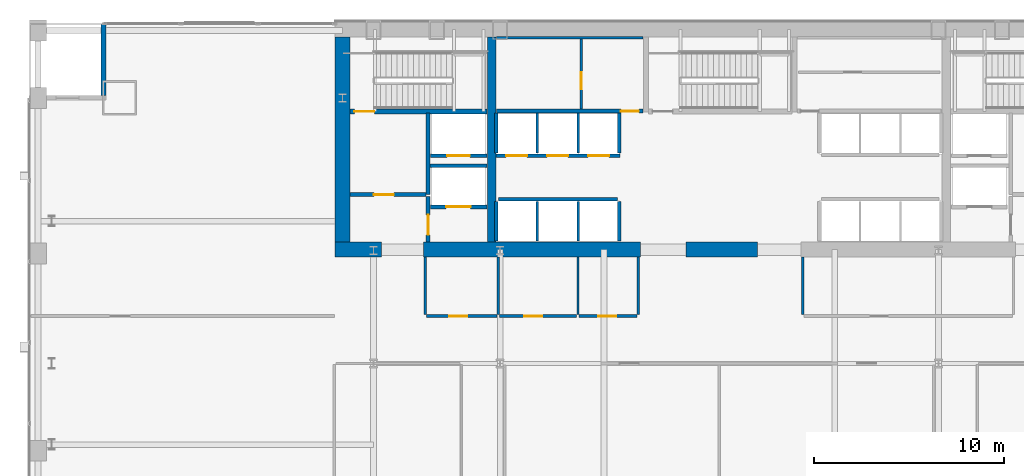
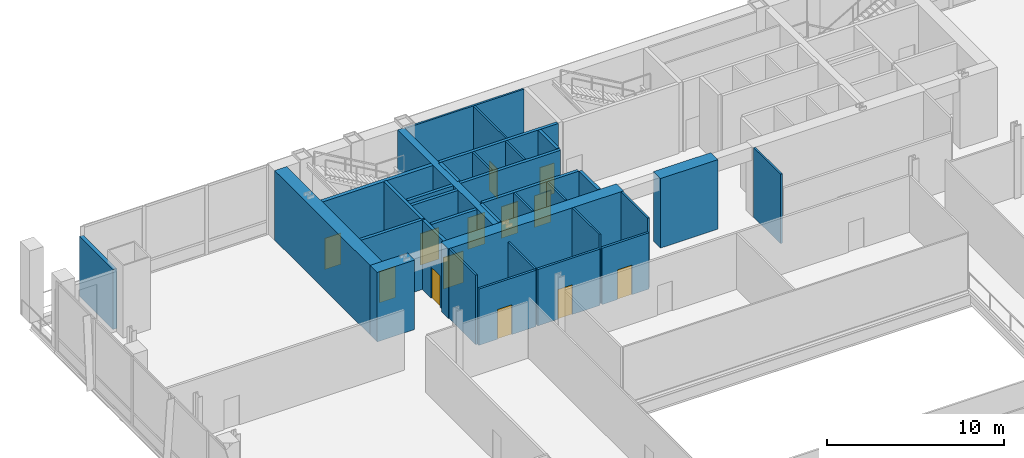
# One storey, part 21 of 26: 34 walls, 13 doors, 13 openings.
"""IFC4 building model written with IfcOpenShell, lengths in metres."""

from ifc_helpers import new_model, si_unit, direction, frame, frame_2d, origin, place, context, subcontext, project, spatial, rectangle, extrude, material, layer, layer_set, type_object, element, fill, save


model = new_model("IFC4")

# Units and contexts
model_context = context("Model", 3, precision=1e-05, world=origin(), true_north=direction((0.0, 1.0)))
body_context = subcontext(model_context, "Body", "Model", "MODEL_VIEW")
ifc_project = project(units=[si_unit("LENGTHUNIT", "METRE"), si_unit("AREAUNIT", "SQUARE_METRE"), si_unit("VOLUMEUNIT", "CUBIC_METRE"), si_unit("PLANEANGLEUNIT", "RADIAN"), si_unit("MASSUNIT", "GRAM", prefix="KILO")], contexts=[model_context])

# Site, building, storey
site_placement = place(None, origin())
site = spatial("IfcSite", under=ifc_project, at=site_placement, CompositionType="ELEMENT")
building_placement = place(site_placement, origin())
building = spatial("IfcBuilding", under=site, at=building_placement, Name="Khoronbel Lancet Exchange", CompositionType="ELEMENT")
storey_placement = place(building_placement, frame((0.0, 0.0, 5.39990234375)))
storey = spatial("IfcBuildingStorey", under=building, at=storey_placement, Name="L01", CompositionType="ELEMENT", Elevation=5.39990234375)

# Walls
ifc_material_1 = material(Name="Concrete C80/95", Category="concrete")
ifc_layer_1 = layer(ifc_material_1, 0.800048828125, Name="Concrete C80/95")
ifc_layer_set_1 = layer_set([ifc_layer_1], Name="Concrete C80/95")
wall_type_1 = type_object("IfcWallType", Name="WL-CW1", PredefinedType="SHEAR", material=ifc_layer_set_1)
wall_1_placement = place(storey_placement, frame((16.60009765625, 42.10009765625, 0.0), z_axis=(0.0, 0.0, 1.0), x_axis=(0.0, 1.0, 0.0)))
element("IfcWall", 1, at=wall_1_placement, inside=storey, type_object=wall_type_1, Name="Level L01 rear core west shear wall", PredefinedType="SHEAR", context=body_context, shape_type="SweptSolid", body=[
    extrude(rectangle(XDim=10.7998046875, YDim=0.800048828125, at=frame_2d((5.39990234375, 0.0))), origin(), (0.0, 0.0, 1.0), 4.800048828125),
])
wall_2_placement = place(storey_placement, frame((18.64990234375, 41.699951171875, 0.0), z_axis=(0.0, 0.0, 1.0), x_axis=(-1.0, 0.0, 0.0)))
element("IfcWall", 2, at=wall_2_placement, inside=storey, type_object=wall_type_1, Name="Level L01 rear core south shear wall pier P1", PredefinedType="SHEAR", context=body_context, shape_type="SweptSolid", body=[
    extrude(rectangle(XDim=2.449951171875, YDim=0.800048828125, at=frame_2d((1.22509765625, 0.0))), origin(), (0.0, 0.0, 1.0), 4.800048828125),
])
wall_3_placement = place(storey_placement, frame((32.300048828125, 41.699951171875, 0.0), z_axis=(0.0, 0.0, 1.0), x_axis=(-1.0, 0.0, 0.0)))
element("IfcWall", 3, at=wall_3_placement, inside=storey, type_object=wall_type_1, Name="Level L01 rear core south shear wall pier P2", PredefinedType="SHEAR", context=body_context, shape_type="SweptSolid", body=[
    extrude(rectangle(XDim=11.449951171875, YDim=0.800048828125, at=frame_2d((5.72509765625, 0.0))), origin(), (0.0, 0.0, 1.0), 4.800048828125),
])
wall_4_placement = place(storey_placement, frame((38.449951171875, 41.699951171875, 0.0), z_axis=(0.0, 0.0, 1.0), x_axis=(-1.0, 0.0, 0.0)))
element("IfcWall", 4, at=wall_4_placement, inside=storey, type_object=wall_type_1, Name="Level L01 rear core south shear wall pier P3", PredefinedType="SHEAR", context=body_context, shape_type="SweptSolid", body=[
    extrude(rectangle(XDim=3.75, YDim=0.800048828125, at=frame_2d((1.875, 0.0))), origin(), (0.0, 0.0, 1.0), 4.800048828125),
])
ifc_material_2 = material(Name="Precast concrete C40/50", Category="concrete")
ifc_layer_2 = layer(ifc_material_2, 0.25, Name="Precast concrete C40/50")
ifc_layer_set_2 = layer_set([ifc_layer_2], Name="Precast concrete C40/50")
wall_type_2 = type_object("IfcWallType", Name="WL-EXT250", PredefinedType="SOLIDWALL", material=ifc_layer_set_2)
wall_5_placement = place(storey_placement, frame((4.0, 49.824951171875, 0.0), z_axis=(0.0, 0.0, 1.0), x_axis=(0.0, 1.0, 0.0)))
element("IfcWall", 5, at=wall_5_placement, inside=storey, type_object=wall_type_2, Name="Level L01 corner notch exterior wall NWV1", PredefinedType="SOLIDWALL", context=body_context, shape_type="SweptSolid", body=[
    extrude(rectangle(XDim=3.795166015625, YDim=0.25, at=frame_2d((1.8974609375, 0.0))), origin(), (0.0, 0.0, 1.0), 4.14013671875),
])
ifc_material_3 = material(Name="Acoustic Metal-Stud & Mineral-Wool Gypsum Partition 120 mm", Category="gypsum")
ifc_layer_3 = layer(ifc_material_3, 0.1201171875, Name="Acoustic Metal-Stud & Mineral-Wool Gypsum Partition 120 mm")
ifc_layer_set_3 = layer_set([ifc_layer_3], Name="Acoustic Metal-Stud & Mineral-Wool Gypsum Partition 120 mm")
wall_type_3 = type_object("IfcWallType", Name="WL-PRT120", PredefinedType="PARTITIONING", material=ifc_layer_set_3)
wall_6_placement = place(storey_placement, frame((20.949951171875, 38.280029296875, 0.0), z_axis=(0.0, 0.0, 1.0), x_axis=(0.0, 1.0, 0.0)))
element("IfcWall", 6, at=wall_6_placement, inside=storey, type_object=wall_type_3, Name="Level L01 interior partition PW-PD-WC0", PredefinedType="PARTITIONING", context=body_context, shape_type="SweptSolid", body=[
    extrude(rectangle(XDim=3.02001953125, YDim=0.1201171875, at=frame_2d((1.510009765625, 0.0))), origin(), (0.0, 0.0, 1.0), 4.800048828125),
])
wall_7_placement = place(storey_placement, frame((24.800048828125, 38.280029296875, 0.0), z_axis=(0.0, 0.0, 1.0), x_axis=(0.0, 1.0, 0.0)))
element("IfcWall", 7, at=wall_7_placement, inside=storey, type_object=wall_type_3, Name="Level L01 interior partition PW-PD-WC1", PredefinedType="PARTITIONING", context=body_context, shape_type="SweptSolid", body=[
    extrude(rectangle(XDim=3.02001953125, YDim=0.1201171875, at=frame_2d((1.510009765625, 0.0))), origin(), (0.0, 0.0, 1.0), 3.89013671875),
])
for number, where, z_axis, x_axis, name in (
    (8, (29.0, 38.280029296875, 0.0), (0.0, 0.0, 1.0), (0.0, 1.0, 0.0), "Level L01 interior partition PW-PD-WC2"),
    (9, (32.179931640625, 38.280029296875, 0.0), (0.0, 0.0, 1.0), (0.0, 1.0, 0.0), "Level L01 interior partition PW-PD-WC3"),
    (10, (40.85009765625, 38.280029296875, 0.0), (0.0, 0.0, 1.0), (0.0, 1.0, 0.0), "Level L01 interior partition PW-PD-NP0"),
):
    element("IfcWall", number, at=place(storey_placement, frame(where, z_axis=z_axis, x_axis=x_axis)), inside=storey, type_object=wall_type_3, Name=name, PredefinedType="PARTITIONING", context=body_context, shape_type="SweptSolid", body=[
        extrude(rectangle(XDim=3.02001953125, YDim=0.1201171875, at=frame_2d((1.510009765625, 0.0))), origin(), (0.0, 0.0, 1.0), 4.800048828125),
    ])
ifc_material_4 = material(Name="Fire-Rated Metal-Stud & Mineral-Wool Gypsum Partition 120 mm", Category="gypsum")
ifc_layer_4 = layer(ifc_material_4, 0.1201171875, Name="Fire-Rated Metal-Stud & Mineral-Wool Gypsum Partition 120 mm")
ifc_layer_set_4 = layer_set([ifc_layer_4], Name="Fire-Rated Metal-Stud & Mineral-Wool Gypsum Partition 120 mm")
wall_type_4 = type_object("IfcWallType", Name="WL-PRT120F", PredefinedType="PARTITIONING", material=ifc_layer_set_4)
for number, where, z_axis, x_axis, name in (
    (11, (26.860107421875, 46.800048828125, 0.0), (0.0, 0.0, 1.0), (0.0, 1.0, 0.0), "Level L01 interior partition CW-PL-D1"),
    (12, (29.02001953125, 46.800048828125, 0.0), (0.0, 0.0, 1.0), (0.0, 1.0, 0.0), "Level L01 interior partition CW-PL-D2"),
):
    element("IfcWall", number, at=place(storey_placement, frame(where, z_axis=z_axis, x_axis=x_axis)), inside=storey, type_object=wall_type_4, Name=name, PredefinedType="PARTITIONING", context=body_context, shape_type="SweptSolid", body=[
        extrude(rectangle(XDim=2.094970703125, YDim=0.1201171875, at=frame_2d((1.04736328125, 0.0))), origin(), (0.0, 0.0, 1.0), 4.800048828125),
    ])
for number, where, z_axis, x_axis, name in (
    (13, (26.860107421875, 42.14990234375, 0.0), (0.0, 0.0, 1.0), (0.0, 1.0, 0.0), "Level L01 interior partition CW-PM-D1"),
    (14, (29.02001953125, 42.14990234375, 0.0), (0.0, 0.0, 1.0), (0.0, 1.0, 0.0), "Level L01 interior partition CW-PM-D2"),
):
    element("IfcWall", number, at=place(storey_placement, frame(where, z_axis=z_axis, x_axis=x_axis)), inside=storey, type_object=wall_type_4, Name=name, PredefinedType="PARTITIONING", context=body_context, shape_type="SweptSolid", body=[
        extrude(rectangle(XDim=2.09521484375, YDim=0.1201171875, at=frame_2d((1.047607421875, 0.0))), origin(), (0.0, 0.0, 1.0), 4.800048828125),
    ])
wall_8_placement = place(storey_placement, frame((24.699951171875, 52.860107421875, 0.0), z_axis=(0.0, 0.0, 1.0), x_axis=(1.0, 0.0, 0.0)))
element("IfcWall", 15, at=wall_8_placement, inside=storey, type_object=wall_type_4, Name="Level L01 interior partition CW-SUP-NW-N", PredefinedType="PARTITIONING", context=body_context, shape_type="SweptSolid", body=[
    extrude(rectangle(XDim=7.719970703125, YDim=0.1201171875, at=frame_2d((3.85986328125, 0.0))), origin(), (0.0, 0.0, 1.0), 4.800048828125),
])

# Wall, opening, door
wall_9_placement = place(storey_placement, frame((29.177490234375, 49.10498046875, 0.0), z_axis=(0.0, 0.0, 1.0), x_axis=(0.0, 1.0, 0.0)))
wall_9 = element("IfcWall", 16, at=wall_9_placement, inside=storey, type_object=wall_type_4, Name="Level L01 interior partition CW-SUP-NW-M", PredefinedType="PARTITIONING", context=body_context, shape_type="SweptSolid", body=[
    extrude(rectangle(XDim=3.68994140625, YDim=0.1201171875, at=frame_2d((1.844970703125, 0.0))), origin(), (0.0, 0.0, 1.0), 4.800048828125),
])
opening_1_placement = place(wall_9_placement, frame((1.050048828125, 0.0, 0.0)))
opening_1 = element("IfcOpeningElement", 17, at=opening_1_placement, cuts=wall_9, Name="Opening FD4", PredefinedType="OPENING", context=body_context, shape_type="SweptSolid", body=[
    extrude(rectangle(XDim=0.89990234375, YDim=2.050048828125, at=frame_2d((0.449951171875, 1.02490234375))), frame((0.0, 0.070068359375, 0.0), z_axis=(0.0, -1.0, 0.0), x_axis=(1.0, 0.0, 0.0)), (0.0, 0.0, 1.0), 0.14013671875),
])
ifc_material_5 = material(Name="Fire-Rated Steel Core Support Door Assembly", Category="steel")
door_type_1 = type_object("IfcDoorType", Name="DR-FD4", OperationType="NOTDEFINED", PredefinedType="DOOR", material=ifc_material_5)
door_1_placement = place(opening_1_placement, origin())
door_1 = element("IfcDoor", 18, at=door_1_placement, inside=storey, type_object=door_type_1, Name="Core NW inner support door L01-1", OperationType="SINGLE_SWING_RIGHT", OverallHeight=2.050048828125, OverallWidth=0.89990234375, PredefinedType="DOOR", context=body_context, shape_type="SweptSolid", body=[
    extrude(rectangle(XDim=0.89990234375, YDim=2.050048828125, at=frame_2d((0.449951171875, 1.02490234375))), frame((0.0, 0.02490234375, 0.0), z_axis=(0.0, -1.0, 0.0), x_axis=(1.0, 0.0, 0.0)), (0.0, 0.0, 1.0), 0.050048828125),
])
fill(opening_1, door_1)

ifc_material_6 = material(Name="Fire-Rated Twin-Stud Acoustic Gypsum Partition 150 mm", Category="gypsum")
ifc_layer_5 = layer(ifc_material_6, 0.14990234375, Name="Fire-Rated Twin-Stud Acoustic Gypsum Partition 150 mm")
ifc_layer_set_5 = layer_set([ifc_layer_5], Name="Fire-Rated Twin-Stud Acoustic Gypsum Partition 150 mm")
wall_type_5 = type_object("IfcWallType", Name="WL-PRT150C", PredefinedType="PARTITIONING", material=ifc_layer_set_5)
wall_10_placement = place(storey_placement, frame((21.014892578125, 38.199951171875, 0.0), z_axis=(0.0, 0.0, 1.0), x_axis=(1.0, 0.0, 0.0)))
wall_10 = element("IfcWall", 19, at=wall_10_placement, inside=storey, type_object=wall_type_5, Name="Level L01 interior partition PW-PD-WCS1", PredefinedType="PARTITIONING", context=body_context, shape_type="SweptSolid", body=[
    extrude(rectangle(XDim=3.72021484375, YDim=0.14990234375, at=frame_2d((1.860107421875, 0.0))), origin(), (0.0, 0.0, 1.0), 3.89013671875),
])
opening_2_placement = place(wall_10_placement, frame((1.199951171875, 0.0, 0.0)))
opening_2 = element("IfcOpeningElement", 20, at=opening_2_placement, cuts=wall_10, Name="Opening D4", PredefinedType="OPENING", context=body_context, shape_type="SweptSolid", body=[
    extrude(rectangle(XDim=0.949951171875, YDim=2.050048828125, at=frame_2d((0.47509765625, 1.02490234375))), frame((0.0, 0.0849609375, 0.0), z_axis=(0.0, -1.0, 0.0), x_axis=(1.0, 0.0, 0.0)), (0.0, 0.0, 1.0), 0.169921875),
])
ifc_material_7 = material(Name="Moisture-Resistant HPL Washroom Door", Category="wood")
door_type_2 = type_object("IfcDoorType", Name="DR-D4", OperationType="NOTDEFINED", PredefinedType="DOOR", material=ifc_material_7)
door_2_placement = place(opening_2_placement, origin())
door_2 = element("IfcDoor", 21, at=door_2_placement, inside=storey, type_object=door_type_2, Name="Podium male WC door L01-1", OperationType="SINGLE_SWING_LEFT", OverallHeight=2.050048828125, OverallWidth=0.949951171875, PredefinedType="DOOR", context=body_context, shape_type="SweptSolid", body=[
    extrude(rectangle(XDim=0.949951171875, YDim=2.050048828125, at=frame_2d((0.47509765625, 1.02490234375))), frame((0.0, 0.02490234375, 0.0), z_axis=(0.0, -1.0, 0.0), x_axis=(1.0, 0.0, 0.0)), (0.0, 0.0, 1.0), 0.050048828125),
])
fill(opening_2, door_2)

wall_11_placement = place(storey_placement, frame((24.864990234375, 38.199951171875, 0.0), z_axis=(0.0, 0.0, 1.0), x_axis=(1.0, 0.0, 0.0)))
wall_11 = element("IfcWall", 22, at=wall_11_placement, inside=storey, type_object=wall_type_5, Name="Level L01 interior partition PW-PD-WCS2", PredefinedType="PARTITIONING", context=body_context, shape_type="SweptSolid", body=[
    extrude(rectangle(XDim=4.070068359375, YDim=0.14990234375, at=frame_2d((2.03515625, 0.0))), origin(), (0.0, 0.0, 1.0), 3.89013671875),
])
opening_3_placement = place(wall_11_placement, frame((1.300048828125, 0.0, 0.0)))
opening_3 = element("IfcOpeningElement", 23, at=opening_3_placement, cuts=wall_11, Name="Opening D4", PredefinedType="OPENING", context=body_context, shape_type="SweptSolid", body=[
    extrude(rectangle(XDim=0.949951171875, YDim=2.050048828125, at=frame_2d((0.47509765625, 1.02490234375))), frame((0.0, 0.0849609375, 0.0), z_axis=(0.0, -1.0, 0.0), x_axis=(1.0, 0.0, 0.0)), (0.0, 0.0, 1.0), 0.169921875),
])
door_3_placement = place(opening_3_placement, origin())
door_3 = element("IfcDoor", 24, at=door_3_placement, inside=storey, type_object=door_type_2, Name="Podium female WC door L01-1", OperationType="SINGLE_SWING_RIGHT", OverallHeight=2.050048828125, OverallWidth=0.949951171875, PredefinedType="DOOR", context=body_context, shape_type="SweptSolid", body=[
    extrude(rectangle(XDim=0.949951171875, YDim=2.050048828125, at=frame_2d((0.47509765625, 1.02490234375))), frame((0.0, 0.02490234375, 0.0), z_axis=(0.0, -1.0, 0.0), x_axis=(1.0, 0.0, 0.0)), (0.0, 0.0, 1.0), 0.050048828125),
])
fill(opening_3, door_3)

wall_12_placement = place(storey_placement, frame((29.06494140625, 38.199951171875, 0.0), z_axis=(0.0, 0.0, 1.0), x_axis=(1.0, 0.0, 0.0)))
wall_12 = element("IfcWall", 25, at=wall_12_placement, inside=storey, type_object=wall_type_5, Name="Level L01 interior partition PW-PD-WCS3", PredefinedType="PARTITIONING", context=body_context, shape_type="SweptSolid", body=[
    extrude(rectangle(XDim=3.050048828125, YDim=0.14990234375, at=frame_2d((1.52490234375, 0.0))), origin(), (0.0, 0.0, 1.0), 3.89013671875),
])
opening_4_placement = place(wall_12_placement, frame((1.0, 0.0, 0.0)))
opening_4 = element("IfcOpeningElement", 26, at=opening_4_placement, cuts=wall_12, Name="Opening D4", PredefinedType="OPENING", context=body_context, shape_type="SweptSolid", body=[
    extrude(rectangle(XDim=0.949951171875, YDim=2.050048828125, at=frame_2d((0.47509765625, 1.02490234375))), frame((0.0, 0.0849609375, 0.0), z_axis=(0.0, -1.0, 0.0), x_axis=(1.0, 0.0, 0.0)), (0.0, 0.0, 1.0), 0.169921875),
])
door_4_placement = place(opening_4_placement, origin())
door_4 = element("IfcDoor", 27, at=door_4_placement, inside=storey, type_object=door_type_2, Name="Podium accessible WC door L01-1", OperationType="SINGLE_SWING_LEFT", OverallHeight=2.050048828125, OverallWidth=0.949951171875, PredefinedType="DOOR", context=body_context, shape_type="SweptSolid", body=[
    extrude(rectangle(XDim=0.949951171875, YDim=2.050048828125, at=frame_2d((0.47509765625, 1.02490234375))), frame((0.0, 0.02490234375, 0.0), z_axis=(0.0, -1.0, 0.0), x_axis=(1.0, 0.0, 0.0)), (0.0, 0.0, 1.0), 0.050048828125),
])
fill(opening_4, door_4)

ifc_material_8 = material(Name="Autoclaved Aerated Concrete Blockwork 200 mm", Category="masonry")
ifc_layer_6 = layer(ifc_material_8, 0.199951171875, Name="Autoclaved Aerated Concrete Blockwork 200 mm")
ifc_layer_set_6 = layer_set([ifc_layer_6], Name="Autoclaved Aerated Concrete Blockwork 200 mm")
wall_type_6 = type_object("IfcWallType", Name="WL-PRT200", PredefinedType="PARTITIONING", material=ifc_layer_set_6)
wall_13_placement = place(storey_placement, frame((24.2099609375, 43.949951171875, 0.0), z_axis=(0.0, 0.0, 1.0), x_axis=(-1.0, 0.0, 0.0)))
wall_13 = element("IfcWall", 28, at=wall_13_placement, inside=storey, type_object=wall_type_6, Name="Level L01 elevator hoistway landing front wall SVLW", PredefinedType="PARTITIONING", context=body_context, shape_type="SweptSolid", body=[
    extrude(rectangle(XDim=2.969970703125, YDim=0.199951171875, at=frame_2d((1.48486328125, 0.0))), origin(), (0.0, 0.0, 1.0), 4.800048828125),
])
opening_5_placement = place(wall_13_placement, frame((0.860107421875, 0.0, 0.0)))
opening_5 = element("IfcOpeningElement", 29, at=opening_5_placement, cuts=wall_13, Name="Opening LD-SVL1", PredefinedType="OPENING", context=body_context, shape_type="SweptSolid", body=[
    extrude(rectangle(XDim=1.300048828125, YDim=2.179931640625, at=frame_2d((0.64990234375, 1.08984375))), frame((0.0, 0.10986328125, 0.0), z_axis=(0.0, -1.0, 0.0), x_axis=(1.0, 0.0, 0.0)), (0.0, 0.0, 1.0), 0.219970703125),
])
ifc_material_9 = material(Name="Heavy-Duty Bi-Parting Goods Lift Landing Door", Category="steel")
door_type_3 = type_object("IfcDoorType", Name="DR-LD-SVL", OperationType="NOTDEFINED", PredefinedType="DOOR", material=ifc_material_9)
door_5_placement = place(opening_5_placement, origin())
door_5 = element("IfcDoor", 30, at=door_5_placement, inside=storey, type_object=door_type_3, Name="Elevator landing sliding door LD-SVL1 L01", OperationType="SLIDING_TO_LEFT", OverallHeight=2.179931640625, OverallWidth=1.300048828125, PredefinedType="DOOR", context=body_context, shape_type="SweptSolid", body=[
    extrude(rectangle(XDim=1.300048828125, YDim=2.179931640625, at=frame_2d((0.64990234375, 1.08984375))), frame((0.0, 0.02490234375, 0.0), z_axis=(0.0, -1.0, 0.0), x_axis=(1.0, 0.0, 0.0)), (0.0, 0.0, 1.0), 0.050048828125),
])
fill(opening_5, door_5)

wall_14_placement = place(storey_placement, frame((24.2099609375, 46.64990234375, 0.0), z_axis=(0.0, 0.0, 1.0), x_axis=(-1.0, 0.0, 0.0)))
wall_14 = element("IfcWall", 31, at=wall_14_placement, inside=storey, type_object=wall_type_6, Name="Level L01 elevator hoistway landing front wall FFLW", PredefinedType="PARTITIONING", context=body_context, shape_type="SweptSolid", body=[
    extrude(rectangle(XDim=2.969970703125, YDim=0.199951171875, at=frame_2d((1.48486328125, 0.0))), origin(), (0.0, 0.0, 1.0), 4.800048828125),
])
opening_6_placement = place(wall_14_placement, frame((0.909912109375, 0.0, 0.0)))
opening_6 = element("IfcOpeningElement", 32, at=opening_6_placement, cuts=wall_14, Name="Opening LD-FFL1", PredefinedType="OPENING", context=body_context, shape_type="SweptSolid", body=[
    extrude(rectangle(XDim=1.199951171875, YDim=2.179931640625, at=frame_2d((0.60009765625, 1.08984375))), frame((0.0, 0.10986328125, 0.0), z_axis=(0.0, -1.0, 0.0), x_axis=(1.0, 0.0, 0.0)), (0.0, 0.0, 1.0), 0.219970703125),
])
ifc_material_10 = material(Name="Fire-Rated Stainless Bi-Parting Firefighting Lift Door", Category="steel")
door_type_4 = type_object("IfcDoorType", Name="DR-LD-FFL", OperationType="NOTDEFINED", PredefinedType="DOOR", material=ifc_material_10)
door_6_placement = place(opening_6_placement, origin())
door_6 = element("IfcDoor", 33, at=door_6_placement, inside=storey, type_object=door_type_4, Name="Elevator landing sliding door LD-FFL1 L01", OperationType="SLIDING_TO_LEFT", OverallHeight=2.179931640625, OverallWidth=1.199951171875, PredefinedType="DOOR", context=body_context, shape_type="SweptSolid", body=[
    extrude(rectangle(XDim=1.199951171875, YDim=2.179931640625, at=frame_2d((0.60009765625, 1.08984375))), frame((0.0, 0.02490234375, 0.0), z_axis=(0.0, -1.0, 0.0), x_axis=(1.0, 0.0, 0.0)), (0.0, 0.0, 1.0), 0.050048828125),
])
fill(opening_6, door_6)

# Wall, openings, doors
wall_15_placement = place(storey_placement, frame((31.219970703125, 46.64990234375, 0.0), z_axis=(0.0, 0.0, 1.0), x_axis=(-1.0, 0.0, 0.0)))
wall_15 = element("IfcWall", 34, at=wall_15_placement, inside=storey, type_object=wall_type_6, Name="Level L01 elevator hoistway landing front wall PLW", PredefinedType="PARTITIONING", context=body_context, shape_type="SweptSolid", body=[
    extrude(rectangle(XDim=6.530029296875, YDim=0.199951171875, at=frame_2d((3.26513671875, 0.0))), origin(), (0.0, 0.0, 1.0), 4.800048828125),
])
opening_7_placement = place(wall_15_placement, frame((4.89990234375, 0.0, 0.0)))
opening_7 = element("IfcOpeningElement", 35, at=opening_7_placement, cuts=wall_15, Name="Opening LD-PL1", PredefinedType="OPENING", context=body_context, shape_type="SweptSolid", body=[
    extrude(rectangle(XDim=1.10009765625, YDim=2.179931640625, at=frame_2d((0.550048828125, 1.08984375))), frame((0.0, 0.10986328125, 0.0), z_axis=(0.0, -1.0, 0.0), x_axis=(1.0, 0.0, 0.0)), (0.0, 0.0, 1.0), 0.219970703125),
])
opening_8_placement = place(wall_15_placement, frame((2.739990234375, 0.0, 0.0)))
opening_8 = element("IfcOpeningElement", 36, at=opening_8_placement, cuts=wall_15, Name="Opening LD-PL2", PredefinedType="OPENING", context=body_context, shape_type="SweptSolid", body=[
    extrude(rectangle(XDim=1.10009765625, YDim=2.179931640625, at=frame_2d((0.550048828125, 1.08984375))), frame((0.0, 0.10986328125, 0.0), z_axis=(0.0, -1.0, 0.0), x_axis=(1.0, 0.0, 0.0)), (0.0, 0.0, 1.0), 0.219970703125),
])
opening_9_placement = place(wall_15_placement, frame((0.580078125, 0.0, 0.0)))
opening_9 = element("IfcOpeningElement", 37, at=opening_9_placement, cuts=wall_15, Name="Opening LD-PL3", PredefinedType="OPENING", context=body_context, shape_type="SweptSolid", body=[
    extrude(rectangle(XDim=1.10009765625, YDim=2.179931640625, at=frame_2d((0.550048828125, 1.08984375))), frame((0.0, 0.10986328125, 0.0), z_axis=(0.0, -1.0, 0.0), x_axis=(1.0, 0.0, 0.0)), (0.0, 0.0, 1.0), 0.219970703125),
])
ifc_material_11 = material(Name="Brushed Bronze Bi-Parting Elevator Landing Door", Category="steel")
door_type_5 = type_object("IfcDoorType", Name="DR-LD-PAX", OperationType="NOTDEFINED", PredefinedType="DOOR", material=ifc_material_11)
door_7_placement = place(opening_7_placement, origin())
door_7 = element("IfcDoor", 38, at=door_7_placement, inside=storey, type_object=door_type_5, Name="Elevator landing sliding door LD-PL1 L01", OperationType="SLIDING_TO_LEFT", OverallHeight=2.179931640625, OverallWidth=1.10009765625, PredefinedType="DOOR", context=body_context, shape_type="SweptSolid", body=[
    extrude(rectangle(XDim=1.10009765625, YDim=2.179931640625, at=frame_2d((0.550048828125, 1.08984375))), frame((0.0, 0.02490234375, 0.0), z_axis=(0.0, -1.0, 0.0), x_axis=(1.0, 0.0, 0.0)), (0.0, 0.0, 1.0), 0.050048828125),
])
fill(opening_7, door_7)
door_8_placement = place(opening_8_placement, origin())
door_8 = element("IfcDoor", 39, at=door_8_placement, inside=storey, type_object=door_type_5, Name="Elevator landing sliding door LD-PL2 L01", OperationType="SLIDING_TO_LEFT", OverallHeight=2.179931640625, OverallWidth=1.10009765625, PredefinedType="DOOR", context=body_context, shape_type="SweptSolid", body=[
    extrude(rectangle(XDim=1.10009765625, YDim=2.179931640625, at=frame_2d((0.550048828125, 1.08984375))), frame((0.0, 0.02490234375, 0.0), z_axis=(0.0, -1.0, 0.0), x_axis=(1.0, 0.0, 0.0)), (0.0, 0.0, 1.0), 0.050048828125),
])
fill(opening_8, door_8)
door_9_placement = place(opening_9_placement, origin())
door_9 = element("IfcDoor", 40, at=door_9_placement, inside=storey, type_object=door_type_5, Name="Elevator landing sliding door LD-PL3 L01", OperationType="SLIDING_TO_LEFT", OverallHeight=2.179931640625, OverallWidth=1.10009765625, PredefinedType="DOOR", context=body_context, shape_type="SweptSolid", body=[
    extrude(rectangle(XDim=1.10009765625, YDim=2.179931640625, at=frame_2d((0.550048828125, 1.08984375))), frame((0.0, 0.02490234375, 0.0), z_axis=(0.0, -1.0, 0.0), x_axis=(1.0, 0.0, 0.0)), (0.0, 0.0, 1.0), 0.050048828125),
])
fill(opening_9, door_9)

# Wall
wall_16_placement = place(storey_placement, frame((21.10009765625, 44.60009765625, 0.0), z_axis=(0.0, 0.0, 1.0), x_axis=(0.0, 1.0, 0.0)))
element("IfcWall", 41, at=wall_16_placement, inside=storey, type_object=wall_type_6, Name="Level L01 interior partition CW-FFLW-E", PredefinedType="PARTITIONING", context=body_context, shape_type="SweptSolid", body=[
    extrude(rectangle(XDim=4.2998046875, YDim=0.199951171875, at=frame_2d((2.14990234375, 0.0))), origin(), (0.0, 0.0, 1.0), 4.800048828125),
])

# Wall, opening, door
wall_17_placement = place(storey_placement, frame((17.0, 44.60009765625, 0.0), z_axis=(0.0, 0.0, 1.0), x_axis=(1.0, 0.0, 0.0)))
wall_17 = element("IfcWall", 42, at=wall_17_placement, inside=storey, type_object=wall_type_6, Name="Level L01 interior partition CW-FFLW-S", PredefinedType="PARTITIONING", context=body_context, shape_type="SweptSolid", body=[
    extrude(rectangle(XDim=4.0, YDim=0.199951171875, at=frame_2d((2.0, 0.0))), origin(), (0.0, 0.0, 1.0), 4.800048828125),
])
opening_10_placement = place(wall_17_placement, frame((1.25, 0.0, 0.0)))
opening_10 = element("IfcOpeningElement", 43, at=opening_10_placement, cuts=wall_17, Name="Opening FD1", PredefinedType="OPENING", context=body_context, shape_type="SweptSolid", body=[
    extrude(rectangle(XDim=1.050048828125, YDim=2.14990234375, at=frame_2d((0.52490234375, 1.074951171875))), frame((0.0, 0.10986328125, 0.0), z_axis=(0.0, -1.0, 0.0), x_axis=(1.0, 0.0, 0.0)), (0.0, 0.0, 1.0), 0.219970703125),
])
ifc_material_12 = material(Name="Fire-Rated Painted Steel Door Assembly", Category="steel")
door_type_6 = type_object("IfcDoorType", Name="DR-FD1", OperationType="NOTDEFINED", PredefinedType="DOOR", material=ifc_material_12)
door_10_placement = place(opening_10_placement, origin())
door_10 = element("IfcDoor", 44, at=door_10_placement, inside=storey, type_object=door_type_6, Name="West firefighting lobby FD90S door L01-1", OperationType="SINGLE_SWING_LEFT", OverallHeight=2.14990234375, OverallWidth=1.050048828125, PredefinedType="DOOR", context=body_context, shape_type="SweptSolid", body=[
    extrude(rectangle(XDim=1.050048828125, YDim=2.14990234375, at=frame_2d((0.52490234375, 1.074951171875))), frame((0.0, 0.02490234375, 0.0), z_axis=(0.0, -1.0, 0.0), x_axis=(1.0, 0.0, 0.0)), (0.0, 0.0, 1.0), 0.050048828125),
])
fill(opening_10, door_10)

# Wall
wall_18_placement = place(storey_placement, frame((21.199951171875, 46.1201171875, 0.0), z_axis=(0.0, 0.0, 1.0), x_axis=(1.0, 0.0, 0.0)))
element("IfcWall", 45, at=wall_18_placement, inside=storey, type_object=wall_type_6, Name="Level L01 interior partition CW-FFL1-S", PredefinedType="PARTITIONING", context=body_context, shape_type="SweptSolid", body=[
    extrude(rectangle(XDim=3.02001953125, YDim=0.199951171875, at=frame_2d((1.510009765625, 0.0))), origin(), (0.0, 0.0, 1.0), 4.800048828125),
])

# Wall, opening, door
wall_19_placement = place(storey_placement, frame((21.10009765625, 42.10009765625, 0.0), z_axis=(0.0, 0.0, 1.0), x_axis=(0.0, 1.0, 0.0)))
wall_19 = element("IfcWall", 46, at=wall_19_placement, inside=storey, type_object=wall_type_6, Name="Level L01 interior partition CW-SVLW-W", PredefinedType="PARTITIONING", context=body_context, shape_type="SweptSolid", body=[
    extrude(rectangle(XDim=2.39501953125, YDim=0.199951171875, at=frame_2d((1.197509765625, 0.0))), origin(), (0.0, 0.0, 1.0), 4.800048828125),
])
opening_11_placement = place(wall_19_placement, frame((0.3798828125, 0.0, 0.0)))
opening_11 = element("IfcOpeningElement", 47, at=opening_11_placement, cuts=wall_19, Name="Opening FD1", PredefinedType="OPENING", context=body_context, shape_type="SweptSolid", body=[
    extrude(rectangle(XDim=1.050048828125, YDim=2.14990234375, at=frame_2d((0.52490234375, 1.074951171875))), frame((0.0, 0.10986328125, 0.0), z_axis=(0.0, -1.0, 0.0), x_axis=(1.0, 0.0, 0.0)), (0.0, 0.0, 1.0), 0.219970703125),
])
door_11_placement = place(opening_11_placement, origin())
door_11 = element("IfcDoor", 48, at=door_11_placement, inside=storey, type_object=door_type_6, Name="West service lift lobby door L01-1", OperationType="SINGLE_SWING_RIGHT", OverallHeight=2.14990234375, OverallWidth=1.050048828125, PredefinedType="DOOR", context=body_context, shape_type="SweptSolid", body=[
    extrude(rectangle(XDim=1.050048828125, YDim=2.14990234375, at=frame_2d((0.52490234375, 1.074951171875))), frame((0.0, 0.02490234375, 0.0), z_axis=(0.0, -1.0, 0.0), x_axis=(1.0, 0.0, 0.0)), (0.0, 0.0, 1.0), 0.050048828125),
])
fill(opening_11, door_11)

# Walls
for number, where, z_axis, x_axis, name in (
    (49, (24.699951171875, 46.800048828125, 0.0), (0.0, 0.0, 1.0), (0.0, 1.0, 0.0), "Level L01 interior partition CW-PL-W"),
    (50, (31.179931640625, 46.800048828125, 0.0), (0.0, 0.0, 1.0), (0.0, 1.0, 0.0), "Level L01 interior partition CW-PL-E"),
):
    element("IfcWall", number, at=place(storey_placement, frame(where, z_axis=z_axis, x_axis=x_axis)), inside=storey, type_object=wall_type_6, Name=name, PredefinedType="PARTITIONING", context=body_context, shape_type="SweptSolid", body=[
        extrude(rectangle(XDim=2.094970703125, YDim=0.199951171875, at=frame_2d((1.04736328125, 0.0))), origin(), (0.0, 0.0, 1.0), 4.800048828125),
    ])
wall_20_placement = place(storey_placement, frame((24.804931640625, 44.35009765625, 0.0), z_axis=(0.0, 0.0, 1.0), x_axis=(1.0, 0.0, 0.0)))
element("IfcWall", 51, at=wall_20_placement, inside=storey, type_object=wall_type_6, Name="Level L01 interior partition CW-PM-EXP", PredefinedType="PARTITIONING", context=body_context, shape_type="SweptSolid", body=[
    extrude(rectangle(XDim=6.27001953125, YDim=0.199951171875, at=frame_2d((3.135009765625, 0.0))), origin(), (0.0, 0.0, 1.0), 4.800048828125),
])
for number, where, z_axis, x_axis, name in (
    (52, (24.699951171875, 42.14990234375, 0.0), (0.0, 0.0, 1.0), (0.0, 1.0, 0.0), "Level L01 interior partition CW-PM-W"),
    (53, (31.179931640625, 42.14990234375, 0.0), (0.0, 0.0, 1.0), (0.0, 1.0, 0.0), "Level L01 interior partition CW-PM-E"),
):
    element("IfcWall", number, at=place(storey_placement, frame(where, z_axis=z_axis, x_axis=x_axis)), inside=storey, type_object=wall_type_6, Name=name, PredefinedType="PARTITIONING", context=body_context, shape_type="SweptSolid", body=[
        extrude(rectangle(XDim=2.09521484375, YDim=0.199951171875, at=frame_2d((1.047607421875, 0.0))), origin(), (0.0, 0.0, 1.0), 4.800048828125),
    ])

# Wall, opening, door
wall_21_placement = place(storey_placement, frame((24.699951171875, 49.0, 0.0), z_axis=(0.0, 0.0, 1.0), x_axis=(1.0, 0.0, 0.0)))
wall_21 = element("IfcWall", 54, at=wall_21_placement, inside=storey, type_object=wall_type_6, Name="Level L01 interior partition CW-SUP-NW-S", PredefinedType="PARTITIONING", context=body_context, shape_type="SweptSolid", body=[
    extrude(rectangle(XDim=7.719970703125, YDim=0.199951171875, at=frame_2d((3.85986328125, 0.0))), origin(), (0.0, 0.0, 1.0), 4.800048828125),
])
opening_12_placement = place(wall_21_placement, frame((6.56005859375, 0.0, 0.0)))
opening_12 = element("IfcOpeningElement", 55, at=opening_12_placement, cuts=wall_21, Name="Opening FD3", PredefinedType="OPENING", context=body_context, shape_type="SweptSolid", body=[
    extrude(rectangle(XDim=0.949951171875, YDim=2.10009765625, at=frame_2d((0.47509765625, 1.050048828125))), frame((0.0, 0.10986328125, 0.0), z_axis=(0.0, -1.0, 0.0), x_axis=(1.0, 0.0, 0.0)), (0.0, 0.0, 1.0), 0.219970703125),
])
ifc_material_13 = material(Name="Fire-Rated Steel Plant & Riser Door Assembly", Category="steel")
door_type_7 = type_object("IfcDoorType", Name="DR-FD3", OperationType="NOTDEFINED", PredefinedType="DOOR", material=ifc_material_13)
door_12_placement = place(opening_12_placement, origin())
door_12 = element("IfcDoor", 56, at=door_12_placement, inside=storey, type_object=door_type_7, Name="Core NW support room door L01-1", OperationType="SINGLE_SWING_LEFT", OverallHeight=2.10009765625, OverallWidth=0.949951171875, PredefinedType="DOOR", context=body_context, shape_type="SweptSolid", body=[
    extrude(rectangle(XDim=0.949951171875, YDim=2.10009765625, at=frame_2d((0.47509765625, 1.050048828125))), frame((0.0, 0.02490234375, 0.0), z_axis=(0.0, -1.0, 0.0), x_axis=(1.0, 0.0, 0.0)), (0.0, 0.0, 1.0), 0.050048828125),
])
fill(opening_12, door_12)

# Wall
ifc_layer_7 = layer(ifc_material_1, 0.449951171875, Name="Concrete C80/95")
ifc_layer_set_7 = layer_set([ifc_layer_7], Name="Concrete C80/95")
wall_type_7 = type_object("IfcWallType", Name="WL-SW1", PredefinedType="SHEAR", material=ifc_layer_set_7)
wall_22_placement = place(storey_placement, frame((24.449951171875, 42.10009765625, 0.0), z_axis=(0.0, 0.0, 1.0), x_axis=(0.0, 1.0, 0.0)))
element("IfcWall", 57, at=wall_22_placement, inside=storey, type_object=wall_type_7, Name="Level L01 rear core internal spine shear wall IW", PredefinedType="SHEAR", context=body_context, shape_type="SweptSolid", body=[
    extrude(rectangle(XDim=10.7998046875, YDim=0.449951171875, at=frame_2d((5.39990234375, 0.0))), origin(), (0.0, 0.0, 1.0), 4.800048828125),
])

# Wall, opening, door
ifc_material_14 = material(Name="Concrete C60/75", Category="concrete")
ifc_layer_8 = layer(ifc_material_14, 0.260009765625, Name="Concrete C60/75")
ifc_layer_set_8 = layer_set([ifc_layer_8], Name="Concrete C60/75")
wall_type_8 = type_object("IfcWallType", Name="WL-SW3", PredefinedType="SHEAR", material=ifc_layer_set_8)
wall_23_placement = place(storey_placement, frame((17.0, 48.97998046875, 0.0), z_axis=(0.0, 0.0, 1.0), x_axis=(1.0, 0.0, 0.0)))
wall_23 = element("IfcWall", 58, at=wall_23_placement, inside=storey, type_object=wall_type_8, Name="Level L01 west stairwell structural south wall", PredefinedType="SHEAR", context=body_context, shape_type="SweptSolid", body=[
    extrude(rectangle(XDim=7.219970703125, YDim=0.239990234375, at=frame_2d((3.60986328125, 0.0))), origin(), (0.0, 0.0, 1.0), 4.800048828125),
])
opening_13_placement = place(wall_23_placement, frame((0.219970703125, 0.0, 0.0)))
opening_13 = element("IfcOpeningElement", 59, at=opening_13_placement, cuts=wall_23, Name="Opening SD1", PredefinedType="OPENING", context=body_context, shape_type="SweptSolid", body=[
    extrude(rectangle(XDim=1.050048828125, YDim=2.14990234375, at=frame_2d((0.52490234375, 1.074951171875))), frame((0.0, 0.1298828125, 0.0), z_axis=(0.0, -1.0, 0.0), x_axis=(1.0, 0.0, 0.0)), (0.0, 0.0, 1.0), 0.260009765625),
])
ifc_material_15 = material(Name="Fire-Rated Steel Stairwell Door Assembly", Category="steel")
door_type_8 = type_object("IfcDoorType", Name="DR-SD1", OperationType="NOTDEFINED", PredefinedType="DOOR", material=ifc_material_15)
door_13_placement = place(opening_13_placement, origin())
door_13 = element("IfcDoor", 60, at=door_13_placement, inside=storey, type_object=door_type_8, Name="Protected exit stair ST1 door L01", OperationType="SINGLE_SWING_LEFT", OverallHeight=2.14990234375, OverallWidth=1.050048828125, PredefinedType="DOOR", context=body_context, shape_type="SweptSolid", body=[
    extrude(rectangle(XDim=1.050048828125, YDim=2.14990234375, at=frame_2d((0.52490234375, 1.074951171875))), frame((0.0, 0.02490234375, 0.0), z_axis=(0.0, -1.0, 0.0), x_axis=(1.0, 0.0, 0.0)), (0.0, 0.0, 1.0), 0.050048828125),
])
fill(opening_13, door_13)

save(model, "model.ifc")
